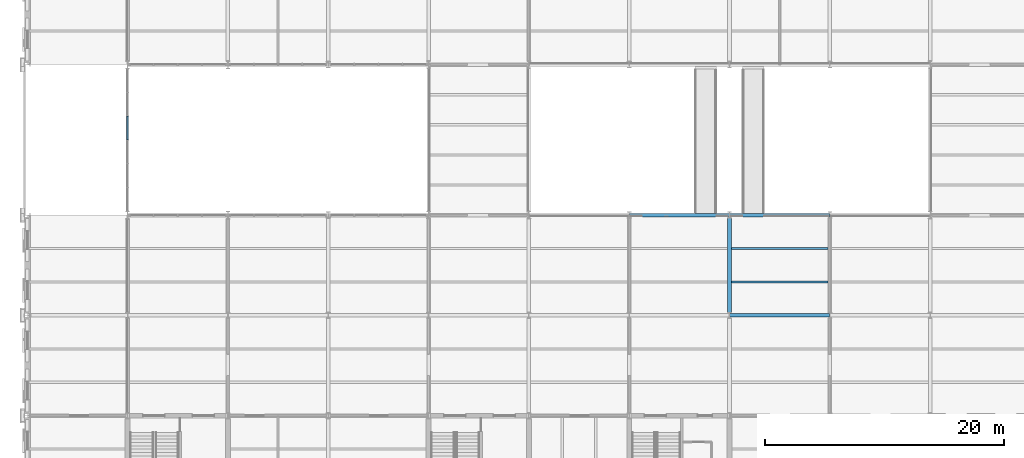
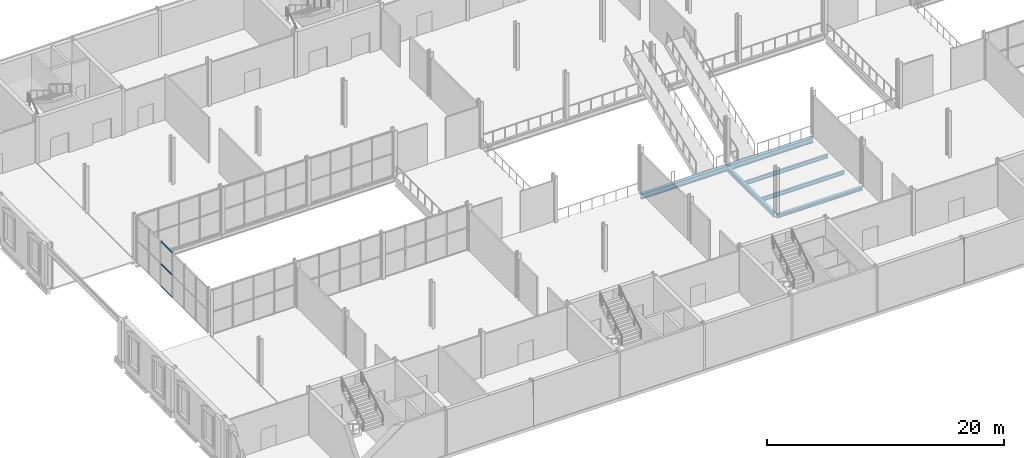
# One storey, part 14 of 61: 6 beams, 3 members, 1 element without a shape of its own.
"""IFC4 building model written with IfcOpenShell, lengths in metres."""

from ifc_helpers import new_model, si_unit, direction, frame, origin, origin_2d, place, context, subcontext, project, spatial, rectangle, i_section, extrude, material, layer, layer_set, material_profile, profile_set, type_object, element, aggregate, save


model = new_model("IFC4")

# Units and contexts
model_context = context("Model", 3, precision=1e-05, world=origin(), true_north=direction((0.0, 1.0)))
body_context = subcontext(model_context, "Body", "Model", "MODEL_VIEW")
ifc_project = project(units=[si_unit("LENGTHUNIT", "METRE"), si_unit("AREAUNIT", "SQUARE_METRE"), si_unit("VOLUMEUNIT", "CUBIC_METRE"), si_unit("PLANEANGLEUNIT", "RADIAN"), si_unit("MASSUNIT", "GRAM", prefix="KILO")], contexts=[model_context])

# Site, building, storey
site_placement = place(None, origin())
site = spatial("IfcSite", under=ifc_project, at=site_placement, CompositionType="ELEMENT")
building_placement = place(site_placement, origin())
building = spatial("IfcBuilding", under=site, at=building_placement, Name="Galleria Vessillo Department Store", CompositionType="ELEMENT")
storey_placement = place(building_placement, frame((0.0, 0.0, 11.39990234375)))
storey = spatial("IfcBuildingStorey", under=building, at=storey_placement, Name="L02", CompositionType="ELEMENT", Elevation=11.39990234375)

# Curtain wall, members
ifc_material_1 = material(Name="Aluminium and glass curtain wall", Category="aluminium")
ifc_layer = layer(ifc_material_1, 0.159912109375)
ifc_layer_set = layer_set([ifc_layer], Name="Aluminium and glass curtain wall")
curtain_wall_type = type_object("IfcCurtainWallType", Name="Arcade portal glazing CW2 2100 module", PredefinedType="NOTDEFINED", material=ifc_layer_set)
curtain_wall_placement = place(storey_placement, origin())
curtain_wall = element("IfcCurtainWall", 1, at=curtain_wall_placement, inside=storey, type_object=curtain_wall_type, Name="Arcade portal glazing CW2 2100 module SCR-W-L02-01", PredefinedType="NOTDEFINED")
ifc_material_2 = material(Name="Aluminium alloy 6063 T6", Category="aluminium")
ifc_material_profile_1 = material_profile(ifc_material_2, rectangle(XDim=0.1201171875, YDim=0.06005859375, at=origin_2d()), Name="AL 60x120")
ifc_profile_set_1 = profile_set([ifc_material_profile_1], Name="Aluminium alloy 6063 T6")
member_type = type_object("IfcMemberType", Name="Aluminium transom 60 x 120", PredefinedType="USERDEFINED", material=ifc_profile_set_1)
member_1_placement = place(storey_placement, frame((8.39990234375, 31.52490234375, 0.030029296875), z_axis=(0.0, 1.0, 0.0), x_axis=(-1.0, 0.0, 0.0)))
member_1 = element("IfcMember", 2, at=member_1_placement, type_object=member_type, Name="CW2 transom 4.1", ObjectType="TRANSOM", PredefinedType="USERDEFINED", context=body_context, shape_type="SweptSolid", body=[
    extrude(rectangle(XDim=0.1201171875, YDim=0.06005859375, at=origin_2d()), origin(), (0.0, 0.0, 1.0), 1.938720703125),
])
member_2_placement = place(storey_placement, frame((8.39990234375, 31.52490234375, 2.3251953125), z_axis=(0.0, 1.0, 0.0), x_axis=(-1.0, 0.0, 0.0)))
member_2 = element("IfcMember", 3, at=member_2_placement, type_object=member_type, Name="CW2 transom 4.2", ObjectType="TRANSOM", PredefinedType="USERDEFINED", context=body_context, shape_type="SweptSolid", body=[
    extrude(rectangle(XDim=0.1201171875, YDim=0.06005859375, at=origin_2d()), origin(), (0.0, 0.0, 1.0), 1.938720703125),
])
member_3_placement = place(storey_placement, frame((8.39990234375, 31.52490234375, 4.6201171875), z_axis=(0.0, 1.0, 0.0), x_axis=(-1.0, 0.0, 0.0)))
member_3 = element("IfcMember", 4, at=member_3_placement, type_object=member_type, Name="CW2 transom 4.3", ObjectType="TRANSOM", PredefinedType="USERDEFINED", context=body_context, shape_type="SweptSolid", body=[
    extrude(rectangle(XDim=0.1201171875, YDim=0.06005859375, at=origin_2d()), origin(), (0.0, 0.0, 1.0), 1.938720703125),
])
aggregate(curtain_wall, [member_1, member_2, member_3])

# Beams
ifc_material_3 = material(Name="Steel S355 J2", Category="steel")
ifc_material_profile_2 = material_profile(ifc_material_3, i_section(OverallWidth=0.300048828125, OverallDepth=0.43994140625, WebThickness=0.011474609375, FlangeThickness=0.02099609375, FilletRadius=0.027099609375, at=origin_2d()), Name="HEA 450")
ifc_profile_set_2 = profile_set([ifc_material_profile_2], Name="Steel S355 J2")
beam_type_1 = type_object("IfcBeamType", Name="Floor girder HEA 450", PredefinedType="BEAM", material=ifc_profile_set_2)
beam_1_placement = place(storey_placement, frame((58.800048828125, 17.050048828125, -0.369873046875), z_axis=(0.0, 1.0, 0.0), x_axis=(-1.0, 0.0, 0.0)))
element("IfcBeam", 5, at=beam_1_placement, inside=storey, type_object=beam_type_1, Name="S-BM-L02-GI-y58800-17050", PredefinedType="BEAM", context=body_context, shape_type="SweptSolid", body=[
    extrude(i_section(OverallWidth=0.300048828125, OverallDepth=0.43994140625, WebThickness=0.011474609375, FlangeThickness=0.02099609375, FilletRadius=0.027099609375, at=origin_2d()), origin(), (0.0, 0.0, 1.0), 7.887939453125),
])
ifc_material_4 = material(Name="Steel S355 J2", Category="steel")
ifc_material_profile_3 = material_profile(ifc_material_4, i_section(OverallWidth=0.179931640625, OverallDepth=0.39990234375, WebThickness=0.008544921875, FlangeThickness=0.013427734375, FilletRadius=0.02099609375, at=origin_2d()), Name="IPE 400")
ifc_profile_set_3 = profile_set([ifc_material_profile_3], Name="Steel S355 J2")
beam_type_2 = type_object("IfcBeamType", Name="Floor joist IPE 400", PredefinedType="JOIST", material=ifc_profile_set_3)
for number, where, z_axis, x_axis, name in (
    (6, (58.9501953125, 19.60009765625, -0.349853515625), (1.0, 0.0, 0.0), (0.0, 1.0, 0.0), "S-BM-L02-JO-x19600-58950"),
    (7, (58.9501953125, 22.39990234375, -0.349853515625), (1.0, 0.0, 0.0), (0.0, 1.0, 0.0), "S-BM-L02-JO-x22400-58950"),
):
    element("IfcBeam", number, at=place(storey_placement, frame(where, z_axis=z_axis, x_axis=x_axis)), inside=storey, type_object=beam_type_2, Name=name, PredefinedType="JOIST", context=body_context, shape_type="SweptSolid", body=[
        extrude(i_section(OverallWidth=0.179931640625, OverallDepth=0.39990234375, WebThickness=0.008544921875, FlangeThickness=0.013427734375, FilletRadius=0.02099609375, at=origin_2d()), origin(), (0.0, 0.0, 1.0), 8.099609375),
    ])
ifc_material_5 = material(Name="Steel S355 J2", Category="steel")
ifc_material_profile_4 = material_profile(ifc_material_5, i_section(OverallWidth=0.300048828125, OverallDepth=0.330078125, WebThickness=0.009521484375, FlangeThickness=0.0166015625, FilletRadius=0.027099609375, at=origin_2d()), Name="HEA 340")
ifc_profile_set_4 = profile_set([ifc_material_profile_4], Name="Steel S355 J2")
beam_type_3 = type_object("IfcBeamType", Name="Floor tie girder HEA 340", PredefinedType="BEAM", material=ifc_profile_set_4)
beam_2_placement = place(storey_placement, frame((58.807373046875, 16.800048828125, -0.31494140625), z_axis=(1.0, 0.0, 0.0), x_axis=(0.0, 1.0, 0.0)))
element("IfcBeam", 8, at=beam_2_placement, inside=storey, type_object=beam_type_3, Name="S-BM-L02-TI-x16800-58807", PredefinedType="BEAM", context=body_context, shape_type="SweptSolid", body=[
    extrude(i_section(OverallWidth=0.300048828125, OverallDepth=0.330078125, WebThickness=0.009521484375, FlangeThickness=0.0166015625, FilletRadius=0.027099609375, at=origin_2d()), origin(), (0.0, 0.0, 1.0), 8.38525390625),
])
ifc_material_6 = material(Name="Steel S355 J2", Category="steel")
ifc_material_profile_5 = material_profile(ifc_material_6, i_section(OverallWidth=0.300048828125, OverallDepth=0.5400390625, WebThickness=0.012451171875, FlangeThickness=0.02392578125, FilletRadius=0.027099609375, at=origin_2d()), Name="HEA 550")
ifc_profile_set_5 = profile_set([ifc_material_profile_5], Name="Steel S355 J2")
beam_type_4 = type_object("IfcBeamType", Name="Trimmer beam HEA 550", PredefinedType="BEAM", material=ifc_profile_set_5)
beam_3_placement = place(storey_placement, frame((50.41064453125, 25.199951171875, -0.419921875), z_axis=(1.0, 0.0, 0.0), x_axis=(0.0, 1.0, 0.0)))
element("IfcBeam", 9, at=beam_3_placement, inside=storey, type_object=beam_type_4, Name="S-BM-L02-TR-x25200-50411", PredefinedType="BEAM", context=body_context, shape_type="SweptSolid", body=[
    extrude(i_section(OverallWidth=0.300048828125, OverallDepth=0.5400390625, WebThickness=0.012451171875, FlangeThickness=0.02392578125, FilletRadius=0.027099609375, at=origin_2d()), origin(), (0.0, 0.0, 1.0), 8.378662109375),
])
beam_4_placement = place(storey_placement, frame((58.810546875, 25.199951171875, -0.419921875), z_axis=(1.0, 0.0, 0.0), x_axis=(0.0, 1.0, 0.0)))
element("IfcBeam", 10, at=beam_4_placement, inside=storey, type_object=beam_type_4, Name="S-BM-L02-TR-x25200-58811", PredefinedType="BEAM", context=body_context, shape_type="SweptSolid", body=[
    extrude(i_section(OverallWidth=0.300048828125, OverallDepth=0.5400390625, WebThickness=0.012451171875, FlangeThickness=0.02392578125, FilletRadius=0.027099609375, at=origin_2d()), origin(), (0.0, 0.0, 1.0), 8.37890625),
])

save(model, "model.ifc")
